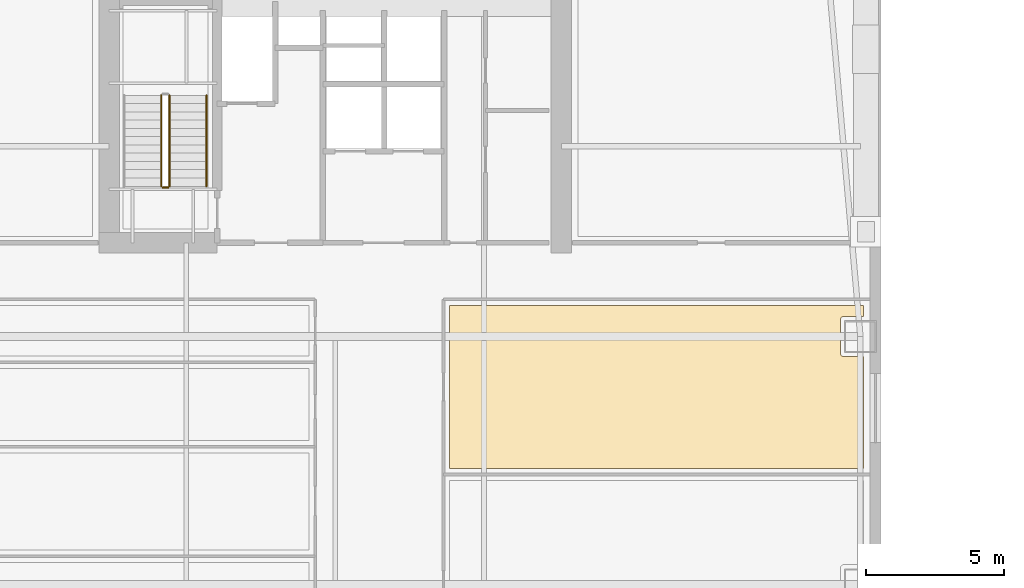
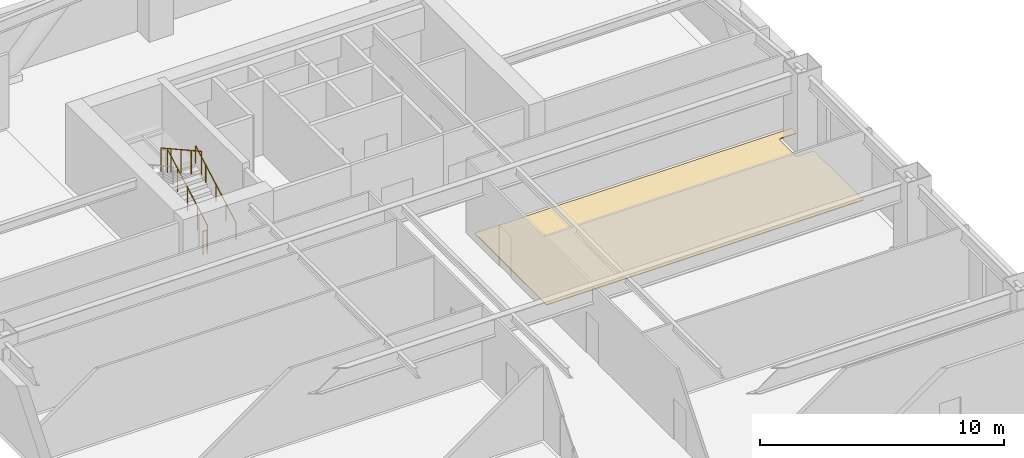
# One storey, part 12 of 18: 4 railings, 1 covering.
"""IFC4 building model written with IfcOpenShell, lengths in metres."""

from ifc_helpers import new_model, si_unit, direction, frame, origin, origin_2d, place, context, subcontext, project, spatial, polyline, circle, outline, extrude, material, layer, layer_set, type_object, element, save


model = new_model("IFC4")

# Units and contexts
model_context = context("Model", 3, precision=1e-05, world=origin(), true_north=direction((0.0, 1.0)))
body_context = subcontext(model_context, "Body", "Model", "MODEL_VIEW")
ifc_project = project(units=[si_unit("LENGTHUNIT", "METRE"), si_unit("AREAUNIT", "SQUARE_METRE"), si_unit("VOLUMEUNIT", "CUBIC_METRE"), si_unit("PLANEANGLEUNIT", "RADIAN"), si_unit("MASSUNIT", "GRAM", prefix="KILO")], contexts=[model_context])

# Site, building, storey
site_placement = place(None, origin())
site = spatial("IfcSite", under=ifc_project, at=site_placement, CompositionType="ELEMENT")
building_placement = place(site_placement, origin())
building = spatial("IfcBuilding", under=site, at=building_placement, Name="Qiaolan Cultural Towers", CompositionType="ELEMENT")
storey_placement = place(building_placement, frame((0.0, 0.0, 42.0)))
storey = spatial("IfcBuildingStorey", under=building, at=storey_placement, Name="L09", CompositionType="ELEMENT", Elevation=42.0)

# Covering
ifc_material_1 = material(Name="Honed Terrazzo & Raised Access Flooring", Category="concrete")
ifc_layer = layer(ifc_material_1, 0.0400390625)
ifc_layer_set = layer_set([ifc_layer], Name="Honed Terrazzo & Raised Access Flooring")
covering_type = type_object("IfcCoveringType", Name="COV-FLR-STONE", PredefinedType="FLOORING", material=ifc_layer_set)
covering_placement = place(storey_placement, origin())
element("IfcCovering", 1, at=covering_placement, inside=storey, type_object=covering_type, Name="L09 Staff Dining Kitchen Finish Flooring", PredefinedType="FLOORING", context=body_context, shape_type="SweptSolid", body=[
    extrude(outline(polyline([(49.159912109375, 42.27490234375), (48.445068359375, 42.27490234375), (48.433349609375, 42.275634765625), (48.421630859375, 42.27734375), (48.41015625, 42.2802734375), (48.399169921875, 42.2841796875), (48.388427734375, 42.2890625), (48.37841796875, 42.295166015625), (48.368896484375, 42.30224609375), (48.360107421875, 42.31005859375), (48.352294921875, 42.31884765625), (48.34521484375, 42.328369140625), (48.339111328125, 42.33837890625), (48.334228515625, 42.34912109375), (48.330078125, 42.360107421875), (48.327392578125, 42.37158203125), (48.32568359375, 42.38330078125), (48.324951171875, 42.39501953125), (48.324951171875, 43.60498046875), (48.32568359375, 43.61669921875), (48.327392578125, 43.62841796875), (48.330078125, 43.639892578125), (48.334228515625, 43.65087890625), (48.339111328125, 43.66162109375), (48.34521484375, 43.671630859375), (48.352294921875, 43.68115234375), (48.360107421875, 43.68994140625), (48.368896484375, 43.69775390625), (48.37841796875, 43.704833984375), (48.388427734375, 43.7109375), (48.399169921875, 43.7158203125), (48.41015625, 43.7197265625), (48.421630859375, 43.72265625), (48.433349609375, 43.724365234375), (48.445068359375, 43.72509765625), (49.159912109375, 43.72509765625), (49.159912109375, 44.1298828125), (34.14501953125, 44.1298828125), (34.14501953125, 38.219970703125), (49.159912109375, 38.219970703125), (49.159912109375, 42.27490234375)])), origin(), (0.0, 0.0, 1.0), 0.0400390625),
])

# Railings
ifc_material_2 = material(Name="Galvanized Painted Steel Stair Guardrail", Category="steel")
railing_type_1 = type_object("IfcRailingType", Name="RL-STAIR-GRD", PredefinedType="GUARDRAIL", material=ifc_material_2)
railing_1_placement = place(storey_placement, frame((23.989990234375, 48.449951171875, 0.166748046875)))
element("IfcRailing", 2, at=railing_1_placement, inside=storey, type_object=railing_type_1, Name="L09 ST-W2 stair guard 1", PredefinedType="GUARDRAIL", context=body_context, shape_type="SweptSolid", body=[
    extrude(circle(Radius=0.02392578125, at=origin_2d()), frame((0.0, 0.0, 1.17578125), z_axis=(0.0, 0.874169478083, 0.485620966999), x_axis=(-1.0, 0.0, 0.0)), (0.0, 0.0, 1.0), 3.775146484375),
    extrude(circle(Radius=0.02099609375, at=origin_2d()), origin(), (0.0, 0.0, 1.0), 1.15185546875),
    extrude(circle(Radius=0.02099609375, at=origin_2d()), frame((0.0, 0.824951171875, 0.458251953125)), (0.0, 0.0, 1.0), 1.15185546875),
    extrude(circle(Radius=0.02099609375, at=origin_2d()), frame((0.0, 1.64990234375, 0.91650390625)), (0.0, 0.0, 1.0), 1.15185546875),
    extrude(circle(Radius=0.02099609375, at=origin_2d()), frame((0.0, 2.47509765625, 1.375)), (0.0, 0.0, 1.0), 1.15185546875),
    extrude(circle(Radius=0.02099609375, at=origin_2d()), frame((0.0, 3.300048828125, 1.833251953125)), (0.0, 0.0, 1.0), 1.15185546875),
])
railing_2_placement = place(storey_placement, frame((23.68994140625, 51.75, 2.166748046875)))
element("IfcRailing", 3, at=railing_2_placement, inside=storey, type_object=railing_type_1, Name="L09 ST-W2 stair guard 3", PredefinedType="GUARDRAIL", context=body_context, shape_type="SweptSolid", body=[
    extrude(circle(Radius=0.02392578125, at=origin_2d()), frame((0.0, 0.0, 1.17578125), z_axis=(0.0, -0.874169478083, 0.485620966999), x_axis=(1.0, 0.0, 0.0)), (0.0, 0.0, 1.0), 3.775146484375),
    extrude(circle(Radius=0.02099609375, at=origin_2d()), origin(), (0.0, 0.0, 1.0), 1.15185546875),
    extrude(circle(Radius=0.02099609375, at=origin_2d()), frame((0.0, -0.824951171875, 0.458251953125)), (0.0, 0.0, 1.0), 1.15185546875),
    extrude(circle(Radius=0.02099609375, at=origin_2d()), frame((0.0, -1.64990234375, 0.91650390625)), (0.0, 0.0, 1.0), 1.15185546875),
    extrude(circle(Radius=0.02099609375, at=origin_2d()), frame((0.0, -2.47509765625, 1.375)), (0.0, 0.0, 1.0), 1.15185546875),
    extrude(circle(Radius=0.02099609375, at=origin_2d()), frame((0.0, -3.300048828125, 1.833251953125)), (0.0, 0.0, 1.0), 1.15185546875),
])
railing_3_placement = place(storey_placement, frame((23.93994140625, 48.39990234375, 0.0)))
element("IfcRailing", 4, at=railing_3_placement, inside=storey, type_object=railing_type_1, Name="L09 ST-W2 stair guard 4", PredefinedType="GUARDRAIL", context=body_context, shape_type="SweptSolid", body=[
    extrude(circle(Radius=0.02392578125, at=origin_2d()), frame((0.0, 0.0, 1.17578125), z_axis=(-1.0, 0.0, 0.0), x_axis=(0.0, -1.0, 0.0)), (0.0, 0.0, 1.0), 0.199951171875),
    extrude(circle(Radius=0.02099609375, at=origin_2d()), origin(), (0.0, 0.0, 1.0), 1.15185546875),
    extrude(circle(Radius=0.02099609375, at=origin_2d()), frame((-0.199951171875, 0.0, 0.0)), (0.0, 0.0, 1.0), 1.15185546875),
])
ifc_material_3 = material(Name="Stainless Steel S30408 Tubular Handrail", Category="steel")
railing_type_2 = type_object("IfcRailingType", Name="RL-STAIR-HR", PredefinedType="HANDRAIL", material=ifc_material_3)
railing_4_placement = place(storey_placement, frame((25.330078125, 48.449951171875, 0.166748046875)))
element("IfcRailing", 5, at=railing_4_placement, inside=storey, type_object=railing_type_2, Name="L09 ST-W2 stair handrail 1", PredefinedType="HANDRAIL", context=body_context, shape_type="SweptSolid", body=[
    extrude(circle(Radius=0.02392578125, at=origin_2d()), frame((0.0, 0.0, 0.8759765625), z_axis=(0.0, 0.874169478083, 0.485620966999), x_axis=(-1.0, 0.0, 0.0)), (0.0, 0.0, 1.0), 3.775146484375),
    extrude(circle(Radius=0.02099609375, at=origin_2d()), origin(), (0.0, 0.0, 1.0), 0.851806640625),
    extrude(circle(Radius=0.02099609375, at=origin_2d()), frame((0.0, 0.824951171875, 0.458251953125)), (0.0, 0.0, 1.0), 0.851806640625),
    extrude(circle(Radius=0.02099609375, at=origin_2d()), frame((0.0, 1.64990234375, 0.91650390625)), (0.0, 0.0, 1.0), 0.851806640625),
    extrude(circle(Radius=0.02099609375, at=origin_2d()), frame((0.0, 2.47509765625, 1.375)), (0.0, 0.0, 1.0), 0.851806640625),
    extrude(circle(Radius=0.02099609375, at=origin_2d()), frame((0.0, 3.300048828125, 1.833251953125)), (0.0, 0.0, 1.0), 0.851806640625),
])

save(model, "model.ifc")
